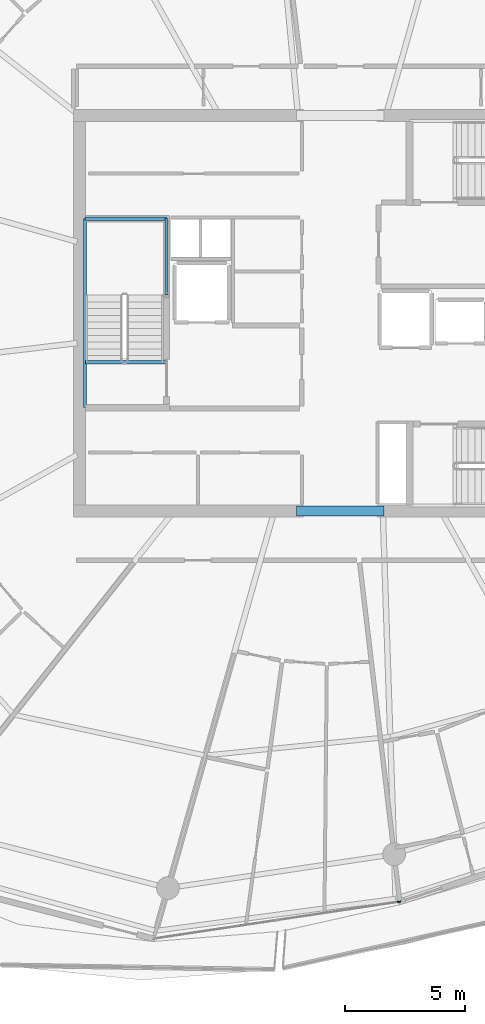
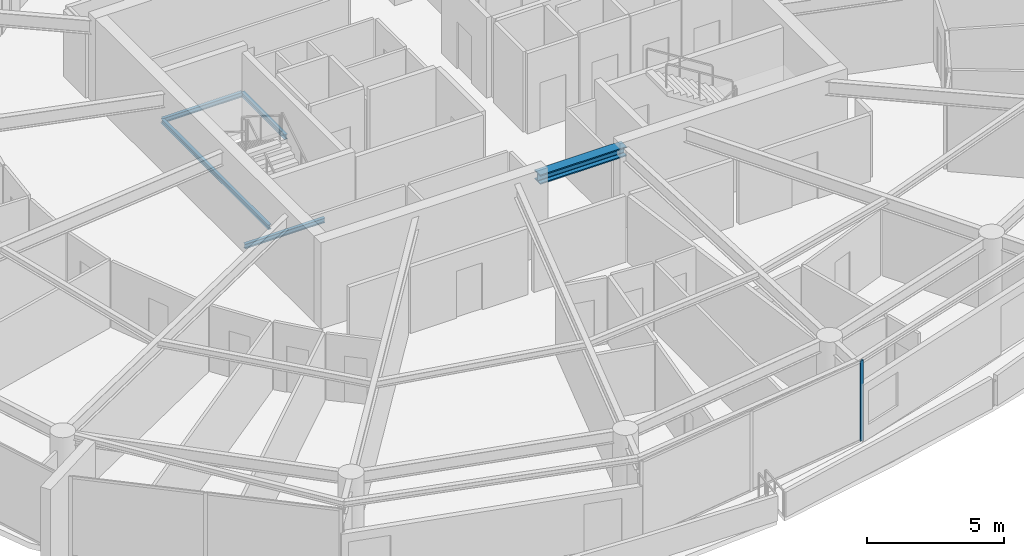
# One storey, part 8 of 29: 5 beams, 1 member, 1 element without a shape of its own.
"""IFC4 building model written with IfcOpenShell, lengths in metres."""

from ifc_helpers import new_model, si_unit, direction, frame, origin, origin_2d, place, context, subcontext, project, spatial, rectangle, i_section, extrude, material, layer, layer_set, material_profile, profile_set, type_object, element, aggregate, save


model = new_model("IFC4")

# Units and contexts
model_context = context("Model", 3, precision=1e-05, world=origin(), true_north=direction((0.0, 1.0)))
body_context = subcontext(model_context, "Body", "Model", "MODEL_VIEW")
ifc_project = project(units=[si_unit("LENGTHUNIT", "METRE"), si_unit("AREAUNIT", "SQUARE_METRE"), si_unit("VOLUMEUNIT", "CUBIC_METRE"), si_unit("PLANEANGLEUNIT", "RADIAN"), si_unit("MASSUNIT", "GRAM", prefix="KILO")], contexts=[model_context])

# Site, building, storey
site_placement = place(None, origin())
site = spatial("IfcSite", under=ifc_project, at=site_placement, CompositionType="ELEMENT")
building_placement = place(site_placement, origin())
building = spatial("IfcBuilding", under=site, at=building_placement, Name="Kazma Halo Residences", CompositionType="ELEMENT")
storey_placement = place(building_placement, frame((0.0, 0.0, 282.89990234375)))
storey = spatial("IfcBuildingStorey", under=building, at=storey_placement, Name="L71", CompositionType="ELEMENT", Elevation=282.89990234375)

# Beams
ifc_material_1 = material(Name="Steel S355", Category="steel")
ifc_material_profile_1 = material_profile(ifc_material_1, i_section(OverallWidth=0.408935546875, OverallDepth=0.425048828125, WebThickness=0.03271484375, FlangeThickness=0.052490234375, FilletRadius=0.02001953125, at=origin_2d()), Name="W360x421")
ifc_profile_set_1 = profile_set([ifc_material_profile_1], Name="Steel S355")
beam_type_1 = type_object("IfcBeamType", Name="BM-CORE-W360H", PredefinedType="BEAM", material=ifc_profile_set_1)
beam_1_placement = place(storey_placement, frame((46.60009765625, 33.75, 3.377685546875), z_axis=(1.0, 0.0, 0.0), x_axis=(0.0, 1.0, 0.0)))
element("IfcBeam", 1, at=beam_1_placement, inside=storey, type_object=beam_type_1, Name="L71 core coupling beam S", PredefinedType="BEAM", context=body_context, shape_type="SweptSolid", body=[
    extrude(i_section(OverallWidth=0.408935546875, OverallDepth=0.425048828125, WebThickness=0.03271484375, FlangeThickness=0.052490234375, FilletRadius=0.02001953125, at=origin_2d()), origin(), (0.0, 0.0, 1.0), 3.64990234375),
])
ifc_material_profile_2 = material_profile(ifc_material_1, i_section(OverallWidth=0.133056640625, OverallDepth=0.20703125, WebThickness=0.005859375, FlangeThickness=0.00830078125, FilletRadius=0.010009765625, at=origin_2d()), Name="W200x26.6")
ifc_profile_set_2 = profile_set([ifc_material_profile_2], Name="Steel S355")
beam_type_2 = type_object("IfcBeamType", Name="BM-TRIM-W200", PredefinedType="BEAM", material=ifc_profile_set_2)
beam_2_placement = place(storey_placement, frame((37.800048828125, 39.949951171875, -0.369873046875), z_axis=(1.0, 0.0, 0.0), x_axis=(0.0, 1.0, 0.0)))
element("IfcBeam", 2, at=beam_2_placement, inside=storey, type_object=beam_type_2, Name="L71 ST-01 floor landing support beam", PredefinedType="BEAM", context=body_context, shape_type="SweptSolid", body=[
    extrude(i_section(OverallWidth=0.133056640625, OverallDepth=0.20703125, WebThickness=0.005859375, FlangeThickness=0.00830078125, FilletRadius=0.010009765625, at=origin_2d()), origin(), (0.0, 0.0, 1.0), 3.3798828125),
])
beam_3_placement = place(storey_placement, frame((37.780029296875, 38.06005859375, 1.6201171875), z_axis=(0.0, 1.0, 0.0), x_axis=(-1.0, 0.0, 0.0)))
element("IfcBeam", 3, at=beam_3_placement, inside=storey, type_object=beam_type_2, Name="L71 ST-01 landing west wall ledger", PredefinedType="BEAM", context=body_context, shape_type="SweptSolid", body=[
    extrude(i_section(OverallWidth=0.133056640625, OverallDepth=0.20703125, WebThickness=0.005859375, FlangeThickness=0.00830078125, FilletRadius=0.010009765625, at=origin_2d()), origin(), (0.0, 0.0, 1.0), 7.8798828125),
])
beam_4_placement = place(storey_placement, frame((41.179931640625, 42.75, 1.6201171875), z_axis=(0.0, 1.0, 0.0), x_axis=(-1.0, 0.0, 0.0)))
element("IfcBeam", 4, at=beam_4_placement, inside=storey, type_object=beam_type_2, Name="L71 ST-01 landing east wall ledger", PredefinedType="BEAM", context=body_context, shape_type="SweptSolid", body=[
    extrude(i_section(OverallWidth=0.133056640625, OverallDepth=0.20703125, WebThickness=0.005859375, FlangeThickness=0.00830078125, FilletRadius=0.010009765625, at=origin_2d()), origin(), (0.0, 0.0, 1.0), 3.18994140625),
])
beam_5_placement = place(storey_placement, frame((37.780029296875, 45.93994140625, 1.6201171875), z_axis=(1.0, 0.0, 0.0), x_axis=(0.0, 1.0, 0.0)))
element("IfcBeam", 5, at=beam_5_placement, inside=storey, type_object=beam_type_2, Name="L71 ST-01 landing end wall ledger", PredefinedType="BEAM", context=body_context, shape_type="SweptSolid", body=[
    extrude(i_section(OverallWidth=0.133056640625, OverallDepth=0.20703125, WebThickness=0.005859375, FlangeThickness=0.00830078125, FilletRadius=0.010009765625, at=origin_2d()), origin(), (0.0, 0.0, 1.0), 3.39990234375),
])

# Curtain wall, member
ifc_material_2 = material(Name="Aluminium AW-6063 T6 and Triple-Silver Low-E Glass", Category="aluminium")
ifc_layer = layer(ifc_material_2, 0.139892578125)
ifc_layer_set = layer_set([ifc_layer], Name="Aluminium AW-6063 T6 and Triple-Silver Low-E Glass")
curtain_wall_type = type_object("IfcCurtainWallType", Name="CW-SYS-5", PredefinedType="NOTDEFINED", material=ifc_layer_set)
curtain_wall_placement = place(storey_placement, origin())
curtain_wall = element("IfcCurtainWall", 6, at=curtain_wall_placement, inside=storey, type_object=curtain_wall_type, Name="L71 unitised curtain wall B11", PredefinedType="NOTDEFINED")
ifc_material_3 = material(Name="Aluminium AW-6063 T6", Category="aluminium")
ifc_material_profile_3 = material_profile(ifc_material_3, rectangle(XDim=0.06005859375, YDim=0.139892578125, at=origin_2d()), Name="CWM-60x140")
ifc_profile_set_3 = profile_set([ifc_material_profile_3], Name="Aluminium AW-6063 T6")
member_type = type_object("IfcMemberType", Name="CW-SYS-5-MUL", PredefinedType="MULLION", material=ifc_profile_set_3)
member_placement = place(storey_placement, frame((50.875732421875, 17.447265625, 0.0), z_axis=(0.0, 0.0, 1.0), x_axis=(-0.148697080374, 0.988882792998, 0.0)))
member = element("IfcMember", 7, at=member_placement, type_object=member_type, Name="CWS-5 mullion 3", PredefinedType="MULLION", context=body_context, shape_type="SweptSolid", body=[
    extrude(rectangle(XDim=0.06005859375, YDim=0.139892578125, at=origin_2d()), origin(), (0.0, 0.0, 1.0), 3.590087890625),
])
aggregate(curtain_wall, [member])

save(model, "model.ifc")
